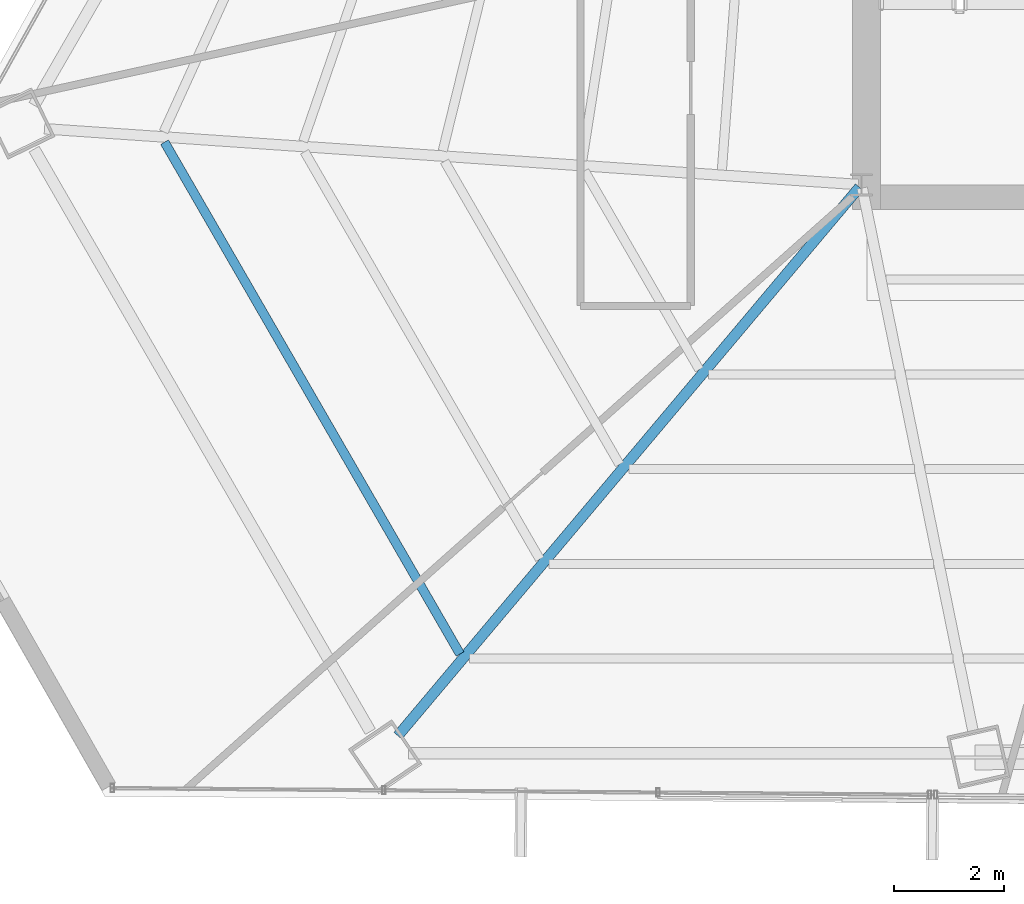
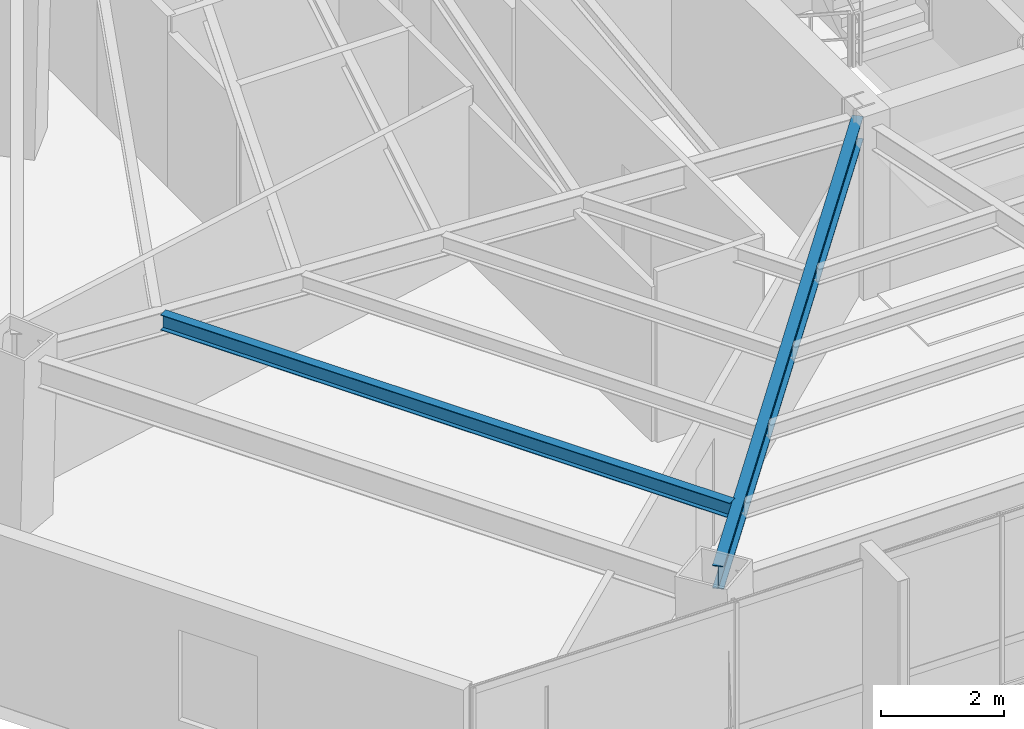
# One storey, part 5 of 39: 2 beams.
"""IFC4 building model written with IfcOpenShell, lengths in metres."""

import ifcopenshell
import ifcopenshell.guid

model = None  # the IFC model being written
_history = None  # IfcOwnerHistory: only IFC2X3 demands one
_inside = {}  # id of a spatial element -> (the spatial element, [elements in it])
_under = {}  # id of a project, library or spatial element -> (it, [spatial elements below it])
_declared = {}  # id of a project -> (the project, [libraries it declares])
_typed = {}  # id of a type object -> (the type object, [elements of that type])
_made_of = {}  # id of a material, layer set ... -> (it, [elements and type objects made of it])


def new_model(schema):
    """Start an empty IFC model of exactly this schema.

    Asked for "IFC4X3", IfcOpenShell would pick the latest addendum, in which some entities
    have other attributes; the version numbers below select the first issue.
    IFC2X3 requires an IfcOwnerHistory on every rooted entity: one is made here for all.
    """
    global model, _history
    if schema == "IFC4X3":
        model = ifcopenshell.file(schema_version=(4, 3, 0, 0))
    else:
        model = ifcopenshell.file(schema=schema)
    _inside.clear()
    _under.clear()
    _declared.clear()
    _typed.clear()
    _made_of.clear()
    _history = None
    if model.schema == "IFC2X3":
        org = make("IfcOrganization", Name="unknown")
        user = make(
            "IfcPersonAndOrganization",
            ThePerson=make("IfcPerson", FamilyName="unknown"),
            TheOrganization=org,
        )
        app = make(
            "IfcApplication",
            ApplicationDeveloper=org,
            Version="unknown",
            ApplicationFullName="unknown",
            ApplicationIdentifier="unknown",
        )
        _history = make(
            "IfcOwnerHistory",
            OwningUser=user,
            OwningApplication=app,
            ChangeAction="ADDED",
            CreationDate=0,
        )
    return model


def make(cls, **values):
    """One entity of the class cls with the attributes given. An attribute that is None is left unset."""
    return model.create_entity(
        cls, **{name: value for name, value in values.items() if value is not None}
    )


def rooted(cls, **values):
    """An entity with a GlobalId (a new one), such as an element, a storey or a relation."""
    return make(cls, GlobalId=ifcopenshell.guid.new(), OwnerHistory=_history, **values)


def si_unit(unit_type, name, prefix=None):
    """IfcSIUnit, for example si_unit("LENGTHUNIT", "METRE", prefix="MILLI")."""
    return make("IfcSIUnit", UnitType=unit_type, Prefix=prefix, Name=name)


def assignment(units):
    """IfcUnitAssignment: the units of a project."""
    return None if units is None else make("IfcUnitAssignment", Units=units)


def point(xyz):
    """IfcCartesianPoint."""
    return None if xyz is None else make("IfcCartesianPoint", Coordinates=xyz)


def direction(xyz):
    """IfcDirection."""
    return None if xyz is None else make("IfcDirection", DirectionRatios=xyz)


def frame(location, z_axis=None, x_axis=None):
    """IfcAxis2Placement3D, a coordinate frame: its origin and axes. An axis left out is left unset."""
    return make(
        "IfcAxis2Placement3D",
        Location=point(location),
        Axis=direction(z_axis),
        RefDirection=direction(x_axis),
    )


def frame_2d(location, x_axis=None):
    """IfcAxis2Placement2D, a coordinate frame in the plane: its origin and x axis."""
    return make(
        "IfcAxis2Placement2D", Location=point(location), RefDirection=direction(x_axis)
    )


def origin():
    """The frame at (0, 0, 0) with its axes left unset."""
    return frame((0.0, 0.0, 0.0))


def origin_2d():
    """The frame at (0, 0) in the plane with its x axis left unset."""
    return frame_2d((0.0, 0.0))


def place(relative_to, where):
    """IfcLocalPlacement: puts the frame where relative to a parent placement (None: the world)."""
    return make(
        "IfcLocalPlacement", PlacementRelTo=relative_to, RelativePlacement=where
    )


def context(
    kind, dimensions, precision=None, world=None, true_north=None, identifier=None
):
    """IfcGeometricRepresentationContext, for example the 3D "Model" context."""
    return make(
        "IfcGeometricRepresentationContext",
        ContextIdentifier=identifier,
        ContextType=kind,
        CoordinateSpaceDimension=dimensions,
        Precision=precision,
        WorldCoordinateSystem=world,
        TrueNorth=true_north,
    )


def subcontext(parent, identifier, kind, view, scale=None):
    """IfcGeometricRepresentationSubContext, for example "Body" below "Model"."""
    return make(
        "IfcGeometricRepresentationSubContext",
        ContextIdentifier=identifier,
        ContextType=kind,
        ParentContext=parent,
        TargetScale=scale,
        TargetView=view,
    )


def project(units=None, contexts=None):
    """IfcProject with its units and contexts."""
    return rooted(
        "IfcProject",
        Name="project",
        RepresentationContexts=contexts,
        UnitsInContext=assignment(units),
    )


def spatial(cls, under=None, at=None, **own):
    """A site, building, storey or space (cls), placed at a placement, below another one or the project."""
    s = rooted(cls, ObjectPlacement=at, **own)
    if under is not None:
        _under.setdefault(under.id(), (under, []))[1].append(s)
    return s


def profile(cls, at=None, kind="AREA", **sizes):
    """A parametric profile (cls). Its sizes go by their IFC names, for example OverallWidth=200.0."""
    return make(cls, ProfileType=kind, Position=at, **sizes)


def i_section(**sizes):
    """IfcIShapeProfileDef."""
    return profile("IfcIShapeProfileDef", **sizes)


def extrude(swept, where, along, depth):
    """IfcExtrudedAreaSolid: the profile swept, set in the frame where, extruded along a direction by depth."""
    return make(
        "IfcExtrudedAreaSolid",
        SweptArea=swept,
        Position=where,
        ExtrudedDirection=direction(along),
        Depth=depth,
    )


def shape(context_of_items, identifier, shape_type, items):
    """IfcShapeRepresentation: the items that make up one representation, for example the "Body"."""
    return make(
        "IfcShapeRepresentation",
        ContextOfItems=context_of_items,
        RepresentationIdentifier=identifier,
        RepresentationType=shape_type,
        Items=items,
    )


def source(mapping_origin, context_of_items, identifier, shape_type, items):
    """IfcRepresentationMap: a shape defined once, which mapped items show again and again."""
    return make(
        "IfcRepresentationMap",
        MappingOrigin=mapping_origin,
        MappedRepresentation=shape(context_of_items, identifier, shape_type, items),
    )


def transform(
    local_origin,
    x_axis=None,
    y_axis=None,
    z_axis=None,
    scale=None,
    scale2=None,
    scale3=None,
    uniform=True,
):
    """IfcCartesianTransformationOperator3D, or its non-uniform kind. x_axis, y_axis, z_axis: its Axis1, 2, 3."""
    if uniform:
        return make(
            "IfcCartesianTransformationOperator3D",
            Axis1=direction(x_axis),
            Axis2=direction(y_axis),
            LocalOrigin=point(local_origin),
            Scale=scale,
            Axis3=direction(z_axis),
        )
    return make(
        "IfcCartesianTransformationOperator3DnonUniform",
        Axis1=direction(x_axis),
        Axis2=direction(y_axis),
        LocalOrigin=point(local_origin),
        Scale=scale,
        Axis3=direction(z_axis),
        Scale2=scale2,
        Scale3=scale3,
    )


def mapped(mapping_source, mapping_target):
    """IfcMappedItem: shows the shape of a source again, moved by a transform."""
    return make(
        "IfcMappedItem", MappingSource=mapping_source, MappingTarget=mapping_target
    )


def material(Name=None, Category=None):
    """IfcMaterial."""
    return make("IfcMaterial", Name=Name, Category=Category)


def material_profile(
    of_material, cross_section, Name=None, Category=None, Priority=None
):
    """IfcMaterialProfile: a cross section and its material."""
    return make(
        "IfcMaterialProfile",
        Name=Name,
        Material=of_material,
        Profile=cross_section,
        Priority=Priority,
        Category=Category,
    )


def profile_set(profiles, Name=None, composite=None):
    """IfcMaterialProfileSet."""
    return make(
        "IfcMaterialProfileSet",
        Name=Name,
        MaterialProfiles=profiles,
        CompositeProfile=composite,
    )


def made_of(thing, what):
    """Note that an element or type object is made of a material, layer set ...; save() writes the relation."""
    if what is not None:
        _made_of.setdefault(what.id(), (what, []))[1].append(thing)
    return thing


def type_object(cls, material=None, **own):
    """A type object (cls), such as IfcWallType, which elements share."""
    return made_of(rooted(cls, **own), material)


def type_shapes(of_type, sources):
    """Give a type object the sources (RepresentationMaps) that its elements show as mapped items."""
    of_type.RepresentationMaps = sources


def element(
    cls,
    number,
    at=None,
    inside=None,
    cuts=None,
    type_object=None,
    material=None,
    context=None,
    identifier="Body",
    shape_type=None,
    held_by="IfcProductDefinitionShape",
    body=None,
    shapes=None,
    **own,
):
    """One element of the class cls, such as IfcWall. Its Tag is "e" and its number.

    at: its placement. inside: the storey or other place that contains it. cuts: it is an
    opening in that element (IfcRelVoidsElement). A single representation is given by context,
    identifier, shape_type and body (its items); several are given by shapes. held_by: the class
    of the entity that holds the representations. save() writes the other relations.
    """
    e = rooted(cls, Tag="e%d" % number, ObjectPlacement=at, **own)
    if body is not None:
        shapes = [shape(context, identifier, shape_type, body)]
    if shapes is not None:
        e.Representation = make(held_by, Representations=shapes)
    if inside is not None:
        _inside.setdefault(inside.id(), (inside, []))[1].append(e)
    if cuts is not None:
        rooted(
            "IfcRelVoidsElement", RelatingBuildingElement=cuts, RelatedOpeningElement=e
        )
    if type_object is not None:
        _typed.setdefault(type_object.id(), (type_object, []))[1].append(e)
    return made_of(e, material)


def aggregate(whole, parts):
    """IfcRelAggregates: a whole, such as a stair, and the parts it consists of."""
    return rooted("IfcRelAggregates", RelatingObject=whole, RelatedObjects=parts)


def save(model, path):
    """Write the relations noted so far, then the file.

    IfcRelAggregates (storeys below a building ...), IfcRelContainedInSpatialStructure (elements
    in a storey), IfcRelDefinesByType, IfcRelAssociatesMaterial and IfcRelDeclares: one each for
    every whole, place, type object, material and project.
    """
    for whole, parts in _under.values():
        aggregate(whole, parts)
    for where, things in _inside.values():
        rooted(
            "IfcRelContainedInSpatialStructure",
            RelatedElements=things,
            RelatingStructure=where,
        )
    for kind, things in _typed.values():
        rooted("IfcRelDefinesByType", RelatedObjects=things, RelatingType=kind)
    for what, things in _made_of.values():
        rooted("IfcRelAssociatesMaterial", RelatedObjects=things, RelatingMaterial=what)
    for by, libraries in _declared.values():
        rooted("IfcRelDeclares", RelatingContext=by, RelatedDefinitions=libraries)
    model.write(path)


model = new_model("IFC4")

# Units and contexts
model_context = context("Model", 3, precision=1e-05, world=origin(), true_north=direction((0.0, 1.0)))
body_context = subcontext(model_context, "Body", "Model", "MODEL_VIEW")
ifc_project = project(units=[si_unit("LENGTHUNIT", "METRE"), si_unit("AREAUNIT", "SQUARE_METRE"), si_unit("VOLUMEUNIT", "CUBIC_METRE"), si_unit("PLANEANGLEUNIT", "RADIAN"), si_unit("MASSUNIT", "GRAM", prefix="KILO")], contexts=[model_context])

# Site, building, storey
site_placement = place(None, origin())
site = spatial("IfcSite", under=ifc_project, at=site_placement, CompositionType="ELEMENT")
building_placement = place(site_placement, origin())
building = spatial("IfcBuilding", under=site, at=building_placement, Name="Caelisora Broadcast Tower", CompositionType="ELEMENT")
storey_placement = place(building_placement, frame((0.0, 0.0, 139.10009765625)))
storey = spatial("IfcBuildingStorey", under=building, at=storey_placement, Name="L36", CompositionType="ELEMENT", Elevation=139.10009765625)

# Beams
ifc_material = material(Name="Steel Grade 350 (AS/NZS 3679.1)", Category="steel")
ifc_material_profile_1 = material_profile(ifc_material, i_section(OverallWidth=0.19091796875, OverallDepth=0.46044921875, WebThickness=0.010009765625, FlangeThickness=0.01611328125, at=origin_2d()), Name="Steel Grade 350 (AS/NZS 3679.1)")
ifc_profile_set_1 = profile_set([ifc_material_profile_1], Name="Steel Grade 350 (AS/NZS 3679.1)")
beam_type_1 = type_object("IfcBeamType", Name="PG06", PredefinedType="BEAM", material=ifc_profile_set_1)
shared_shape_1 = source(origin(), body_context, "Body", "SweptSolid", [
    extrude(i_section(OverallWidth=0.19091796875, OverallDepth=0.46044921875, WebThickness=0.010009765625, FlangeThickness=0.01611328125, at=origin_2d()), origin(), (0.0, 0.0, 1.0), 13.006591796875),
])
type_shapes(beam_type_1, [shared_shape_1])
beam_1_placement = place(storey_placement, frame((30.46142578125, 17.35400390625, 3.169677734375), z_axis=(-0.643853046416, -0.765149171483, 0.0), x_axis=(0.765149171483, -0.643853046416, 0.0)))
element("IfcBeam", 1, at=beam_1_placement, inside=storey, type_object=beam_type_1, Name="L36 beam PG06", PredefinedType="BEAM", context=body_context, shape_type="MappedRepresentation", body=[
    mapped(shared_shape_1, transform((0.0, 0.0, 0.0), scale=1.0)),
])
ifc_material_profile_2 = material_profile(ifc_material, i_section(OverallWidth=0.166015625, OverallDepth=0.30712890625, WebThickness=0.006591796875, FlangeThickness=0.01171875, at=origin_2d()), Name="Steel Grade 350 (AS/NZS 3679.1)")
ifc_profile_set_2 = profile_set([ifc_material_profile_2], Name="Steel Grade 350 (AS/NZS 3679.1)")
beam_type_2 = type_object("IfcBeamType", Name="SB03", PredefinedType="JOIST", material=ifc_profile_set_2)
shared_shape_2 = source(origin(), body_context, "Body", "SweptSolid", [
    extrude(i_section(OverallWidth=0.166015625, OverallDepth=0.30712890625, WebThickness=0.006591796875, FlangeThickness=0.01171875, at=origin_2d()), origin(), (0.0, 0.0, 1.0), 10.723876953125),
])
type_shapes(beam_type_2, [shared_shape_2])
beam_2_placement = place(storey_placement, frame((17.852783203125, 18.17333984375, 3.246337890625), z_axis=(0.499983239866, -0.866035080036, 0.0), x_axis=(0.866035080036, 0.499983239866, 0.0)))
element("IfcBeam", 2, at=beam_2_placement, inside=storey, type_object=beam_type_2, Name="L36 beam SB03", PredefinedType="JOIST", context=body_context, shape_type="MappedRepresentation", body=[
    mapped(shared_shape_2, transform((0.0, 0.0, 0.0), scale=1.0)),
])

save(model, "model.ifc")
